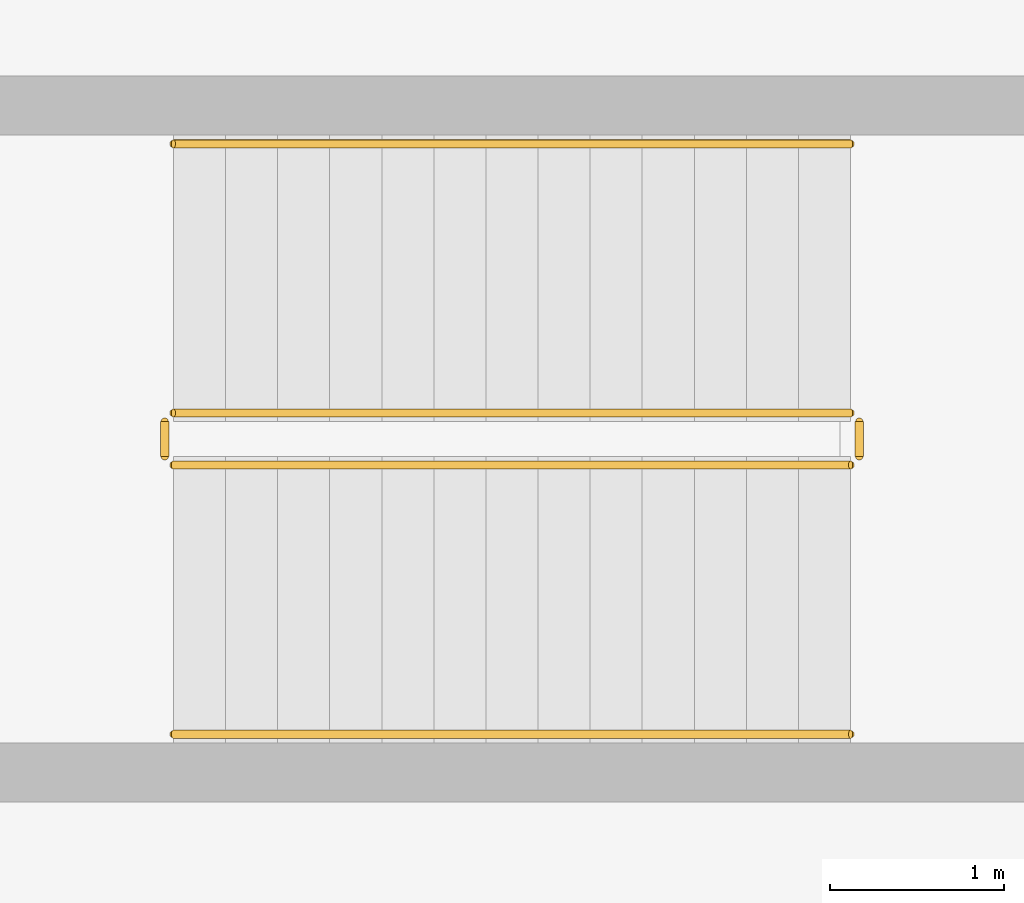
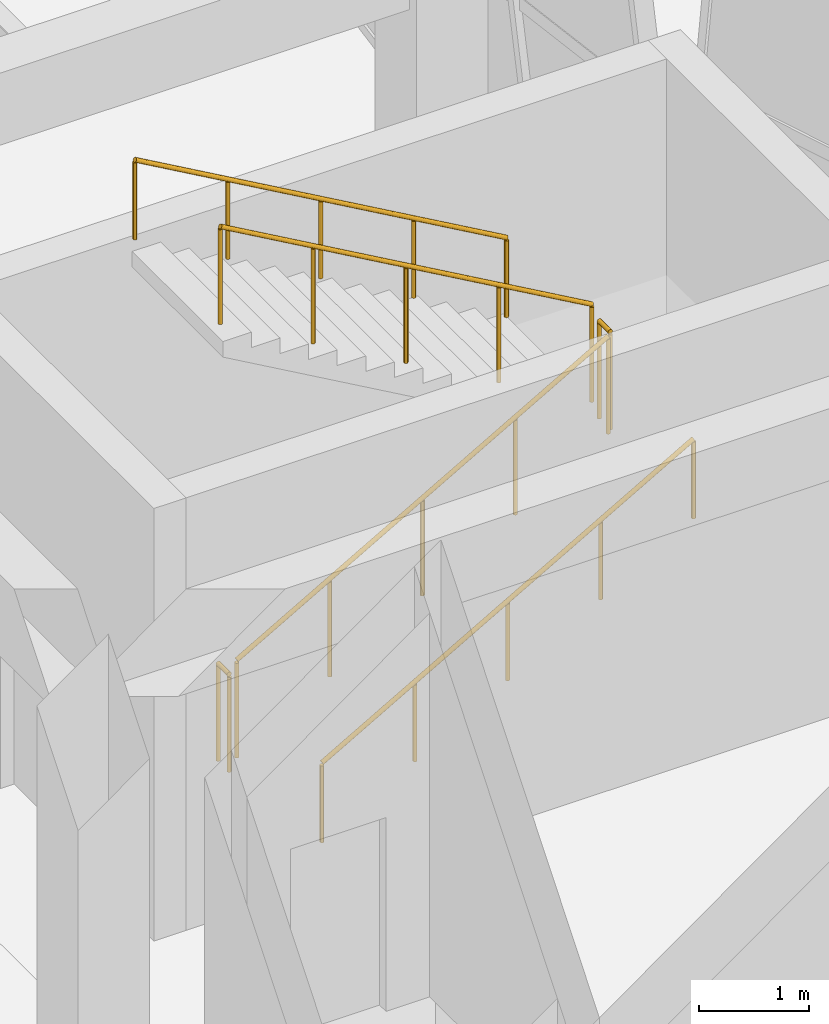
# One storey, part 61 of 72: 6 railings.
"""IFC4 building model written with IfcOpenShell, lengths in metres."""

from ifc_helpers import new_model, si_unit, direction, frame, origin, origin_2d, place, context, subcontext, project, spatial, circle, extrude, material, type_object, element, save


model = new_model("IFC4")

# Units and contexts
model_context = context("Model", 3, precision=1e-05, world=origin(), true_north=direction((0.0, 1.0)))
body_context = subcontext(model_context, "Body", "Model", "MODEL_VIEW")
ifc_project = project(units=[si_unit("LENGTHUNIT", "METRE"), si_unit("AREAUNIT", "SQUARE_METRE"), si_unit("VOLUMEUNIT", "CUBIC_METRE"), si_unit("PLANEANGLEUNIT", "RADIAN"), si_unit("MASSUNIT", "GRAM", prefix="KILO")], contexts=[model_context])

# Site, building, storey
site_placement = place(None, origin())
site = spatial("IfcSite", under=ifc_project, at=site_placement, CompositionType="ELEMENT")
building_placement = place(site_placement, origin())
building = spatial("IfcBuilding", under=site, at=building_placement, Name="Korsvaeld Concert Hall", CompositionType="ELEMENT")
storey_placement = place(building_placement, origin())
storey = spatial("IfcBuildingStorey", under=building, at=storey_placement, Name="L00", CompositionType="ELEMENT", Elevation=0.0)

# Railings
ifc_material_1 = material(Name="Powder-coated steel and bronze stair guardrail", Category="steel")
railing_type_1 = type_object("IfcRailingType", Name="RL-STAIR-GUARD-120", PredefinedType="GUARDRAIL", material=ifc_material_1)
railing_1_placement = place(storey_placement, frame((53.6201171875, 54.570068359375, 0.17138671875)))
element("IfcRailing", 1, at=railing_1_placement, inside=storey, type_object=railing_type_1, Name="L00 ST-F1 stair guard 1", PredefinedType="GUARDRAIL", context=body_context, shape_type="SweptSolid", body=[
    extrude(circle(Radius=0.02392578125, at=origin_2d()), frame((0.0, 0.0, 1.076171875), z_axis=(0.868243142124, 0.0, 0.496138938357), x_axis=(0.0, 1.0, 0.0)), (0.0, 0.0, 1.0), 4.49169921875),
    extrude(circle(Radius=0.02099609375, at=origin_2d()), origin(), (0.0, 0.0, 1.0), 1.052001953125),
    extrude(circle(Radius=0.02099609375, at=origin_2d()), frame((0.97509765625, 0.0, 0.55712890625)), (0.0, 0.0, 1.0), 1.052001953125),
    extrude(circle(Radius=0.02099609375, at=origin_2d()), frame((1.949951171875, 0.0, 1.1142578125)), (0.0, 0.0, 1.0), 1.052001953125),
    extrude(circle(Radius=0.02099609375, at=origin_2d()), frame((2.9248046875, 0.0, 1.67138671875)), (0.0, 0.0, 1.0), 1.052001953125),
    extrude(circle(Radius=0.02099609375, at=origin_2d()), frame((3.89990234375, 0.0, 2.228515625)), (0.0, 0.0, 1.0), 1.052001953125),
])
railing_2_placement = place(storey_placement, frame((57.570068359375, 54.6201171875, 2.39990234375)))
element("IfcRailing", 2, at=railing_2_placement, inside=storey, type_object=railing_type_1, Name="L00 ST-F1 stair guard 2", PredefinedType="GUARDRAIL", context=body_context, shape_type="SweptSolid", body=[
    extrude(circle(Radius=0.02392578125, at=origin_2d()), frame((0.0, 0.0, 1.076171875), z_axis=(0.0, 1.0, 0.0), x_axis=(-1.0, 0.0, 0.0)), (0.0, 0.0, 1.0), 0.199951171875),
    extrude(circle(Radius=0.02099609375, at=origin_2d()), origin(), (0.0, 0.0, 1.0), 1.052001953125),
    extrude(circle(Radius=0.02099609375, at=origin_2d()), frame((0.0, 0.199951171875, 0.0)), (0.0, 0.0, 1.0), 1.052001953125),
])
railing_3_placement = place(storey_placement, frame((57.52001953125, 54.8701171875, 2.571533203125)))
element("IfcRailing", 3, at=railing_3_placement, inside=storey, type_object=railing_type_1, Name="L00 ST-F1 stair guard 3", PredefinedType="GUARDRAIL", context=body_context, shape_type="SweptSolid", body=[
    extrude(circle(Radius=0.02392578125, at=origin_2d()), frame((0.0, 0.0, 1.076171875), z_axis=(-0.868243142124, 0.0, 0.496138938357), x_axis=(0.0, -1.0, 0.0)), (0.0, 0.0, 1.0), 4.49169921875),
    extrude(circle(Radius=0.02099609375, at=origin_2d()), origin(), (0.0, 0.0, 1.0), 1.052001953125),
    extrude(circle(Radius=0.02099609375, at=origin_2d()), frame((-0.97509765625, 0.0, 0.55712890625)), (0.0, 0.0, 1.0), 1.052001953125),
    extrude(circle(Radius=0.02099609375, at=origin_2d()), frame((-1.949951171875, 0.0, 1.1142578125)), (0.0, 0.0, 1.0), 1.052001953125),
    extrude(circle(Radius=0.02099609375, at=origin_2d()), frame((-2.9248046875, 0.0, 1.67138671875)), (0.0, 0.0, 1.0), 1.052001953125),
    extrude(circle(Radius=0.02099609375, at=origin_2d()), frame((-3.89990234375, 0.0, 2.228515625)), (0.0, 0.0, 1.0), 1.052001953125),
])
railing_4_placement = place(storey_placement, frame((53.570068359375, 54.6201171875, 0.0)))
element("IfcRailing", 4, at=railing_4_placement, inside=storey, type_object=railing_type_1, Name="L00 ST-F1 stair guard 4", PredefinedType="GUARDRAIL", context=body_context, shape_type="SweptSolid", body=[
    extrude(circle(Radius=0.02392578125, at=origin_2d()), frame((0.0, 0.0, 1.076171875), z_axis=(0.0, 1.0, 0.0), x_axis=(-1.0, 0.0, 0.0)), (0.0, 0.0, 1.0), 0.199951171875),
    extrude(circle(Radius=0.02099609375, at=origin_2d()), origin(), (0.0, 0.0, 1.0), 1.052001953125),
    extrude(circle(Radius=0.02099609375, at=origin_2d()), frame((0.0, 0.199951171875, 0.0)), (0.0, 0.0, 1.0), 1.052001953125),
])
ifc_material_2 = material(Name="European oak and bronze stair handrail")
railing_type_2 = type_object("IfcRailingType", Name="RL-STAIR-HAND-90", PredefinedType="HANDRAIL", material=ifc_material_2)
railing_5_placement = place(storey_placement, frame((53.6201171875, 53.02001953125, 0.17138671875)))
element("IfcRailing", 5, at=railing_5_placement, inside=storey, type_object=railing_type_2, Name="L00 ST-F1 stair handrail 1", PredefinedType="HANDRAIL", context=body_context, shape_type="SweptSolid", body=[
    extrude(circle(Radius=0.02392578125, at=origin_2d()), frame((0.0, 0.0, 0.8759765625), z_axis=(0.868243142124, 0.0, 0.496138938357), x_axis=(0.0, 1.0, 0.0)), (0.0, 0.0, 1.0), 4.49169921875),
    extrude(circle(Radius=0.02099609375, at=origin_2d()), origin(), (0.0, 0.0, 1.0), 0.851806640625),
    extrude(circle(Radius=0.02099609375, at=origin_2d()), frame((0.97509765625, 0.0, 0.55712890625)), (0.0, 0.0, 1.0), 0.851806640625),
    extrude(circle(Radius=0.02099609375, at=origin_2d()), frame((1.949951171875, 0.0, 1.1142578125)), (0.0, 0.0, 1.0), 0.851806640625),
    extrude(circle(Radius=0.02099609375, at=origin_2d()), frame((2.9248046875, 0.0, 1.67138671875)), (0.0, 0.0, 1.0), 0.851806640625),
    extrude(circle(Radius=0.02099609375, at=origin_2d()), frame((3.89990234375, 0.0, 2.228515625)), (0.0, 0.0, 1.0), 0.851806640625),
])
railing_6_placement = place(storey_placement, frame((57.52001953125, 56.419921875, 2.571533203125)))
element("IfcRailing", 6, at=railing_6_placement, inside=storey, type_object=railing_type_2, Name="L00 ST-F1 stair handrail 2", PredefinedType="HANDRAIL", context=body_context, shape_type="SweptSolid", body=[
    extrude(circle(Radius=0.02392578125, at=origin_2d()), frame((0.0, 0.0, 0.8759765625), z_axis=(-0.868243142124, 0.0, 0.496138938357), x_axis=(0.0, -1.0, 0.0)), (0.0, 0.0, 1.0), 4.49169921875),
    extrude(circle(Radius=0.02099609375, at=origin_2d()), origin(), (0.0, 0.0, 1.0), 0.851806640625),
    extrude(circle(Radius=0.02099609375, at=origin_2d()), frame((-0.97509765625, 0.0, 0.55712890625)), (0.0, 0.0, 1.0), 0.851806640625),
    extrude(circle(Radius=0.02099609375, at=origin_2d()), frame((-1.949951171875, 0.0, 1.1142578125)), (0.0, 0.0, 1.0), 0.851806640625),
    extrude(circle(Radius=0.02099609375, at=origin_2d()), frame((-2.9248046875, 0.0, 1.67138671875)), (0.0, 0.0, 1.0), 0.851806640625),
    extrude(circle(Radius=0.02099609375, at=origin_2d()), frame((-3.89990234375, 0.0, 2.228515625)), (0.0, 0.0, 1.0), 0.851806640625),
])

save(model, "model.ifc")
